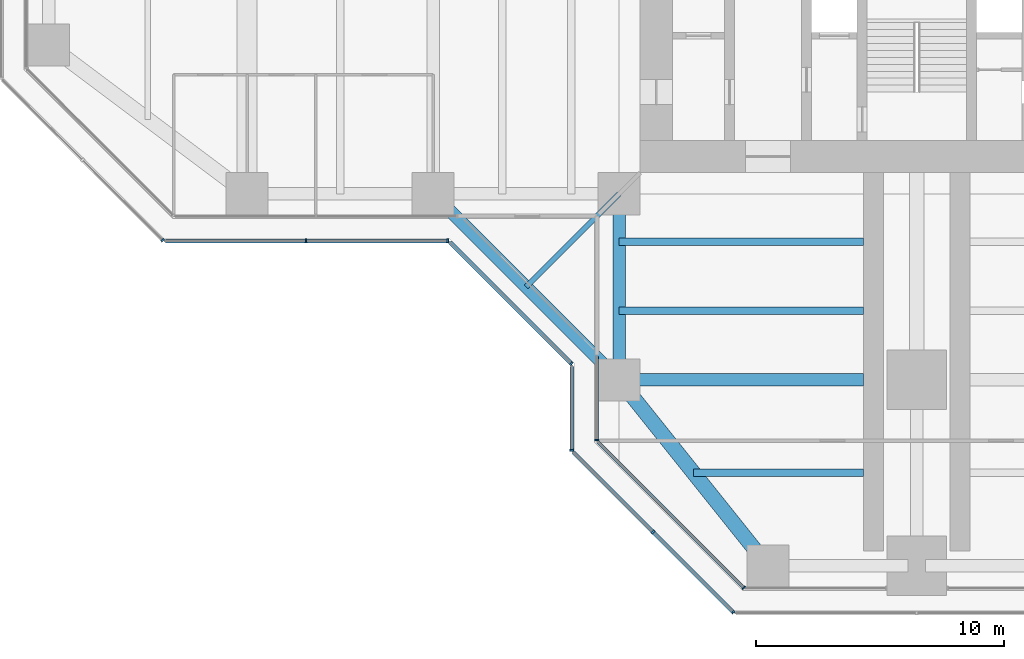
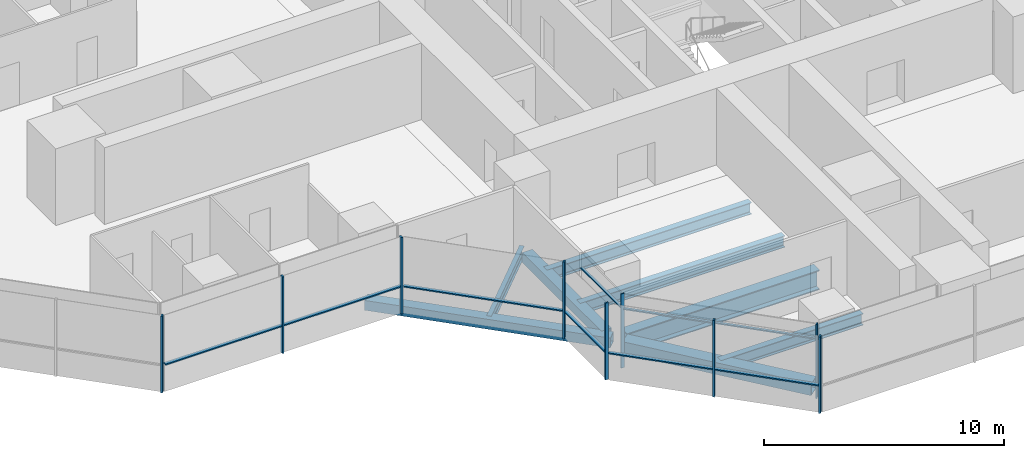
# One storey, part 2 of 20: 17 members, 8 beams, 7 elements without a shape of their own.
"""IFC4 building model written with IfcOpenShell, lengths in metres."""

from ifc_helpers import new_model, si_unit, direction, frame, origin, origin_2d, place, context, subcontext, project, spatial, rectangle, hollow_rectangle, i_section, extrude, material, material_profile, profile_set, type_object, element, aggregate, save


model = new_model("IFC4")

# Units and contexts
model_context = context("Model", 3, precision=1e-05, world=origin(), true_north=direction((0.0, 1.0)))
body_context = subcontext(model_context, "Body", "Model", "MODEL_VIEW")
ifc_project = project(units=[si_unit("LENGTHUNIT", "METRE"), si_unit("AREAUNIT", "SQUARE_METRE"), si_unit("VOLUMEUNIT", "CUBIC_METRE"), si_unit("PLANEANGLEUNIT", "RADIAN"), si_unit("MASSUNIT", "GRAM", prefix="KILO")], contexts=[model_context])

# Site, building, storey
site_placement = place(None, origin())
site = spatial("IfcSite", under=ifc_project, at=site_placement, CompositionType="ELEMENT")
building_placement = place(site_placement, origin())
building = spatial("IfcBuilding", under=site, at=building_placement, Name="Mizan Broadcast Tower", CompositionType="ELEMENT")
storey_placement = place(building_placement, frame((0.0, 0.0, 174.89990234375)))
storey = spatial("IfcBuildingStorey", under=building, at=storey_placement, Name="L40", CompositionType="ELEMENT", Elevation=174.89990234375)

# Beams
ifc_material_1 = material(Name="Steel S355", Category="steel")
ifc_material_profile_1 = material_profile(ifc_material_1, hollow_rectangle(XDim=0.5, YDim=0.5, WallThickness=0.030029296875, at=origin_2d()), Name="BOX 500x500x30")
ifc_profile_set_1 = profile_set([ifc_material_profile_1], Name="Steel S355")
beam_type_1 = type_object("IfcBeamType", Name="EDGE BEAM BOX 500x500x30", PredefinedType="SPANDREL", material=ifc_profile_set_1)
beam_1_placement = place(storey_placement, frame((-12.0, -12.449951171875, -0.3798828125), z_axis=(0.0, -1.0, 0.0), x_axis=(1.0, 0.0, 0.0)))
element("IfcBeam", 1, at=beam_1_placement, inside=storey, type_object=beam_type_1, Name="Edge beam BOX 500x500x30 L40 south arm", PredefinedType="SPANDREL", context=body_context, shape_type="SweptSolid", body=[
    extrude(hollow_rectangle(XDim=0.5, YDim=0.5, WallThickness=0.030029296875, at=origin_2d()), origin(), (0.0, 0.0, 1.0), 6.60009765625),
])
beam_2_placement = place(storey_placement, frame((-19.5, -12.0, -0.3798828125), z_axis=(0.707106781187, -0.707106781187, 0.0), x_axis=(0.707106781187, 0.707106781187, 0.0)))
element("IfcBeam", 2, at=beam_2_placement, inside=storey, type_object=beam_type_1, Name="Winter garden edge beam L40 W", PredefinedType="SPANDREL", context=body_context, shape_type="SweptSolid", body=[
    extrude(hollow_rectangle(XDim=0.5, YDim=0.5, WallThickness=0.030029296875, at=origin_2d()), origin(), (0.0, 0.0, 1.0), 10.606689453125),
])
ifc_material_2 = material(Name="Steel S355", Category="steel")
ifc_material_profile_2 = material_profile(ifc_material_2, hollow_rectangle(XDim=0.60009765625, YDim=0.60009765625, WallThickness=0.030029296875, at=origin_2d()), Name="BOX 600x600x30")
ifc_profile_set_2 = profile_set([ifc_material_profile_2], Name="Steel S355")
beam_type_2 = type_object("IfcBeamType", Name="EDGE BEAM BOX 600x600x30", PredefinedType="SPANDREL", material=ifc_profile_set_2)
beam_3_placement = place(storey_placement, frame((-11.639892578125, -19.949951171875, -0.429931640625), z_axis=(0.624673911726, -0.780885717636, 0.0), x_axis=(0.780885717636, 0.624673911726, 0.0)))
element("IfcBeam", 3, at=beam_3_placement, inside=storey, type_object=beam_type_2, Name="Edge beam BOX 600x600x30 L40 south arm", PredefinedType="SPANDREL", context=body_context, shape_type="SweptSolid", body=[
    extrude(hollow_rectangle(XDim=0.60009765625, YDim=0.60009765625, WallThickness=0.030029296875, at=origin_2d()), origin(), (0.0, 0.0, 1.0), 8.4521484375),
])
ifc_material_3 = material(Name="Steel S460", Category="steel")
ifc_material_profile_3 = material_profile(ifc_material_3, i_section(OverallWidth=0.5, OverallDepth=1.0, WebThickness=0.02490234375, FlangeThickness=0.050048828125, at=origin_2d()), Name="WPG 1000x500")
ifc_profile_set_3 = profile_set([ifc_material_profile_3], Name="Steel S460")
beam_type_3 = type_object("IfcBeamType", Name="GIRDER WPG 1000x500", PredefinedType="BEAM", material=ifc_profile_set_3)
beam_4_placement = place(storey_placement, frame((-11.408935546875, -19.5, -0.6298828125), z_axis=(1.0, 0.0, 0.0), x_axis=(0.0, 1.0, 0.0)))
element("IfcBeam", 4, at=beam_4_placement, inside=storey, type_object=beam_type_3, Name="Girder WPG 1000x500 L40 south arm", PredefinedType="BEAM", context=body_context, shape_type="SweptSolid", body=[
    extrude(i_section(OverallWidth=0.5, OverallDepth=1.0, WebThickness=0.02490234375, FlangeThickness=0.050048828125, at=origin_2d()), origin(), (0.0, 0.0, 1.0), 9.259033203125),
])

# Curtain wall, member
ifc_material_4 = material(Name="Aluminium framed glazing", Category="aluminium")
curtain_wall_type_1 = type_object("IfcCurtainWallType", Name="INNER SKIN MID ZONE", PredefinedType="USERDEFINED", material=ifc_material_4)
curtain_wall_1_placement = place(storey_placement, origin())
curtain_wall_1 = element("IfcCurtainWall", 5, at=curtain_wall_1_placement, inside=storey, type_object=curtain_wall_type_1, Name="Inner skin mid zone L40 S side", ObjectType="INNER SKIN MID ZONE", PredefinedType="USERDEFINED")
ifc_material_5 = material(Name="Aluminium, pale anodised", Category="aluminium")
ifc_material_profile_4 = material_profile(ifc_material_5, rectangle(XDim=0.159912109375, YDim=0.06005859375, at=origin_2d()), Name="MULLION 160x60")
ifc_profile_set_4 = profile_set([ifc_material_profile_4], Name="Aluminium, pale anodised")
member_type_1 = type_object("IfcMemberType", Name="INNER SKIN MULLION 60x160", PredefinedType="MULLION", material=ifc_profile_set_4)
member_1_placement = place(storey_placement, frame((-12.89990234375, -21.928466796875, 0.0), z_axis=(0.0, 0.0, 1.0), x_axis=(1.0, 0.0, 0.0)))
member_1 = element("IfcMember", 6, at=member_1_placement, type_object=member_type_1, Name="Inner skin mid zone L40 S side mullion 2", PredefinedType="MULLION", context=body_context, shape_type="SweptSolid", body=[
    extrude(rectangle(XDim=0.159912109375, YDim=0.06005859375, at=origin_2d()), origin(), (0.0, 0.0, 1.0), 3.77001953125),
])

curtain_wall_2_placement = place(storey_placement, origin())
curtain_wall_2 = element("IfcCurtainWall", 7, at=curtain_wall_2_placement, inside=storey, type_object=curtain_wall_type_1, Name="Inner skin mid zone L40 S chamfer", ObjectType="INNER SKIN MID ZONE", PredefinedType="USERDEFINED")
member_2_placement = place(storey_placement, frame((-6.979736328125, -27.87890625, 0.0), z_axis=(0.0, 0.0, 1.0), x_axis=(0.707106781187, 0.707106781187, 0.0)))
member_2 = element("IfcMember", 8, at=member_2_placement, type_object=member_type_1, Name="Inner skin mid zone L40 S chamfer mullion 2", PredefinedType="MULLION", context=body_context, shape_type="SweptSolid", body=[
    extrude(rectangle(XDim=0.159912109375, YDim=0.06005859375, at=origin_2d()), origin(), (0.0, 0.0, 1.0), 3.77001953125),
])

# Member
ifc_material_6 = material(Name="Aluminium, pale anodised", Category="aluminium")
ifc_material_profile_5 = material_profile(ifc_material_6, rectangle(XDim=0.1201171875, YDim=0.06005859375, at=origin_2d()), Name="TRANSOM 120x60")
ifc_profile_set_5 = profile_set([ifc_material_profile_5], Name="Aluminium, pale anodised")
member_type_2 = type_object("IfcMemberType", Name="INNER SKIN TRANSOM 60x120", PredefinedType="USERDEFINED", material=ifc_profile_set_5)
member_3_placement = place(storey_placement, frame((-12.89990234375, -18.56005859375, 3.030029296875), z_axis=(0.0, -1.0, 0.0), x_axis=(1.0, 0.0, 0.0)))
member_3 = element("IfcMember", 9, at=member_3_placement, type_object=member_type_2, Name="Inner skin mid zone L40 S side transom 1.1", ObjectType="TRANSOM", PredefinedType="USERDEFINED", context=body_context, shape_type="SweptSolid", body=[
    extrude(rectangle(XDim=0.1201171875, YDim=0.06005859375, at=origin_2d()), origin(), (0.0, 0.0, 1.0), 3.338623046875),
])

aggregate(curtain_wall_1, [member_1, member_3])

member_4_placement = place(storey_placement, frame((-12.857666015625, -22.0009765625, 3.030029296875), z_axis=(0.707106781187, -0.707106781187, 0.0), x_axis=(0.707106781187, 0.707106781187, 0.0)))
member_4 = element("IfcMember", 10, at=member_4_placement, type_object=member_type_2, Name="Inner skin mid zone L40 S chamfer transom 1.1", ObjectType="TRANSOM", PredefinedType="USERDEFINED", context=body_context, shape_type="SweptSolid", body=[
    extrude(rectangle(XDim=0.1201171875, YDim=0.06005859375, at=origin_2d()), origin(), (0.0, 0.0, 1.0), 8.28271484375),
])

aggregate(curtain_wall_2, [member_2, member_4])

# Curtain wall, member
ifc_material_7 = material(Name="Aluminium framed glazing", Category="aluminium")
curtain_wall_type_2 = type_object("IfcCurtainWallType", Name="OUTER SKIN", PredefinedType="USERDEFINED", material=ifc_material_7)
curtain_wall_3_placement = place(storey_placement, origin())
curtain_wall_3 = element("IfcCurtainWall", 11, at=curtain_wall_3_placement, inside=storey, type_object=curtain_wall_type_2, Name="Outer skin L40 W chamfer", ObjectType="OUTER SKIN", PredefinedType="USERDEFINED")
ifc_material_8 = material(Name="Aluminium, pale anodised", Category="aluminium")
ifc_material_profile_6 = material_profile(ifc_material_8, rectangle(XDim=0.159912109375, YDim=0.080078125, at=origin_2d()), Name="MULLION 160x80")
ifc_profile_set_6 = profile_set([ifc_material_profile_6], Name="Aluminium, pale anodised")
member_type_3 = type_object("IfcMemberType", Name="OUTER SKIN MULLION 80x160", PredefinedType="MULLION", material=ifc_profile_set_6)
member_5_placement = place(storey_placement, frame((-30.401123046875, -13.871826171875, 0.0), z_axis=(0.0, 0.0, 1.0), x_axis=(0.707106781187, 0.707106781187, 0.0)))
member_5 = element("IfcMember", 12, at=member_5_placement, type_object=member_type_3, Name="Outer skin L40 W chamfer mullion 3", PredefinedType="MULLION", context=body_context, shape_type="SweptSolid", body=[
    extrude(rectangle(XDim=0.159912109375, YDim=0.080078125, at=origin_2d()), origin(), (0.0, 0.0, 1.0), 3.900146484375),
])
aggregate(curtain_wall_3, [member_5])

# Curtain wall, members
curtain_wall_4_placement = place(storey_placement, origin())
curtain_wall_4 = element("IfcCurtainWall", 13, at=curtain_wall_4_placement, inside=storey, type_object=curtain_wall_type_2, Name="Outer skin L40 W side", ObjectType="OUTER SKIN", PredefinedType="USERDEFINED")
member_6_placement = place(storey_placement, frame((-24.622802734375, -13.89990234375, 0.0), z_axis=(0.0, 0.0, 1.0), x_axis=(0.0, 1.0, 0.0)))
member_6 = element("IfcMember", 14, at=member_6_placement, type_object=member_type_3, Name="Outer skin L40 W side mullion 2", PredefinedType="MULLION", context=body_context, shape_type="SweptSolid", body=[
    extrude(rectangle(XDim=0.159912109375, YDim=0.080078125, at=origin_2d()), origin(), (0.0, 0.0, 1.0), 3.900146484375),
])
member_7_placement = place(storey_placement, frame((-18.912841796875, -13.89990234375, 0.0), z_axis=(0.0, 0.0, 1.0), x_axis=(0.0, 1.0, 0.0)))
member_7 = element("IfcMember", 15, at=member_7_placement, type_object=member_type_3, Name="Outer skin L40 W side mullion 3", PredefinedType="MULLION", context=body_context, shape_type="SweptSolid", body=[
    extrude(rectangle(XDim=0.159912109375, YDim=0.080078125, at=origin_2d()), origin(), (0.0, 0.0, 1.0), 3.900146484375),
])

# Curtain wall, member
curtain_wall_5_placement = place(storey_placement, origin())
curtain_wall_5 = element("IfcCurtainWall", 16, at=curtain_wall_5_placement, inside=storey, type_object=curtain_wall_type_2, Name="Outer skin L40 W chamfer", ObjectType="OUTER SKIN", PredefinedType="USERDEFINED")
member_8_placement = place(storey_placement, frame((-13.92822265625, -18.844482421875, 0.0), z_axis=(0.0, 0.0, 1.0), x_axis=(0.707106781187, 0.707106781187, 0.0)))
member_8 = element("IfcMember", 17, at=member_8_placement, type_object=member_type_3, Name="Outer skin L40 W chamfer mullion 2", PredefinedType="MULLION", context=body_context, shape_type="SweptSolid", body=[
    extrude(rectangle(XDim=0.159912109375, YDim=0.080078125, at=origin_2d()), origin(), (0.0, 0.0, 1.0), 3.900146484375),
])

curtain_wall_6_placement = place(storey_placement, origin())
curtain_wall_6 = element("IfcCurtainWall", 18, at=curtain_wall_6_placement, inside=storey, type_object=curtain_wall_type_2, Name="Outer skin L40 S side", ObjectType="OUTER SKIN", PredefinedType="USERDEFINED")
member_9_placement = place(storey_placement, frame((-13.89990234375, -22.332763671875, 0.0), z_axis=(0.0, 0.0, 1.0), x_axis=(1.0, 0.0, 0.0)))
member_9 = element("IfcMember", 19, at=member_9_placement, type_object=member_type_3, Name="Outer skin L40 S side mullion 2", PredefinedType="MULLION", context=body_context, shape_type="SweptSolid", body=[
    extrude(rectangle(XDim=0.159912109375, YDim=0.080078125, at=origin_2d()), origin(), (0.0, 0.0, 1.0), 3.900146484375),
])

# Curtain wall, members
curtain_wall_7_placement = place(storey_placement, origin())
curtain_wall_7 = element("IfcCurtainWall", 20, at=curtain_wall_7_placement, inside=storey, type_object=curtain_wall_type_2, Name="Outer skin L40 S chamfer", ObjectType="OUTER SKIN", PredefinedType="USERDEFINED")
member_10_placement = place(storey_placement, frame((-10.636474609375, -25.636474609375, 0.0), z_axis=(0.0, 0.0, 1.0), x_axis=(0.707106781187, 0.707106781187, 0.0)))
member_10 = element("IfcMember", 21, at=member_10_placement, type_object=member_type_3, Name="Outer skin L40 S chamfer mullion 2", PredefinedType="MULLION", context=body_context, shape_type="SweptSolid", body=[
    extrude(rectangle(XDim=0.159912109375, YDim=0.080078125, at=origin_2d()), origin(), (0.0, 0.0, 1.0), 3.900146484375),
])
member_11_placement = place(storey_placement, frame((-7.401123046875, -28.871826171875, 0.0), z_axis=(0.0, 0.0, 1.0), x_axis=(0.707106781187, 0.707106781187, 0.0)))
member_11 = element("IfcMember", 22, at=member_11_placement, type_object=member_type_3, Name="Outer skin L40 S chamfer mullion 3", PredefinedType="MULLION", context=body_context, shape_type="SweptSolid", body=[
    extrude(rectangle(XDim=0.159912109375, YDim=0.080078125, at=origin_2d()), origin(), (0.0, 0.0, 1.0), 3.900146484375),
])

# Member
ifc_material_9 = material(Name="Aluminium, pale anodised", Category="aluminium")
ifc_material_profile_7 = material_profile(ifc_material_9, rectangle(XDim=0.159912109375, YDim=0.06005859375, at=origin_2d()), Name="TRANSOM 160x60")
ifc_profile_set_7 = profile_set([ifc_material_profile_7], Name="Aluminium, pale anodised")
member_type_4 = type_object("IfcMemberType", Name="OUTER SKIN TRANSOM 60x160", PredefinedType="USERDEFINED", material=ifc_profile_set_7)
member_12_placement = place(storey_placement, frame((-30.292724609375, -13.89990234375, 1.400146484375), z_axis=(1.0, 0.0, 0.0), x_axis=(0.0, 1.0, 0.0)))
member_12 = element("IfcMember", 23, at=member_12_placement, type_object=member_type_4, Name="Outer skin L40 W side transom 1.1", ObjectType="TRANSOM", PredefinedType="USERDEFINED", context=body_context, shape_type="SweptSolid", body=[
    extrude(rectangle(XDim=0.159912109375, YDim=0.06005859375, at=origin_2d()), origin(), (0.0, 0.0, 1.0), 5.6298828125),
])

member_13_placement = place(storey_placement, frame((-24.582763671875, -13.89990234375, 1.400146484375), z_axis=(1.0, 0.0, 0.0), x_axis=(0.0, 1.0, 0.0)))
member_13 = element("IfcMember", 24, at=member_13_placement, type_object=member_type_4, Name="Outer skin L40 W side transom 2.1", ObjectType="TRANSOM", PredefinedType="USERDEFINED", context=body_context, shape_type="SweptSolid", body=[
    extrude(rectangle(XDim=0.159912109375, YDim=0.06005859375, at=origin_2d()), origin(), (0.0, 0.0, 1.0), 5.6298828125),
])

aggregate(curtain_wall_4, [member_6, member_7, member_12, member_13])

member_14_placement = place(storey_placement, frame((-18.816162109375, -13.95654296875, 1.400146484375), z_axis=(0.707106781187, -0.707106781187, 0.0), x_axis=(0.707106781187, 0.707106781187, 0.0)))
member_14 = element("IfcMember", 25, at=member_14_placement, type_object=member_type_4, Name="Outer skin L40 W chamfer transom 1.1", ObjectType="TRANSOM", PredefinedType="USERDEFINED", context=body_context, shape_type="SweptSolid", body=[
    extrude(rectangle(XDim=0.159912109375, YDim=0.06005859375, at=origin_2d()), origin(), (0.0, 0.0, 1.0), 6.87255859375),
])

aggregate(curtain_wall_5, [member_8, member_14])

member_15_placement = place(storey_placement, frame((-13.89990234375, -18.952880859375, 1.400146484375), z_axis=(0.0, -1.0, 0.0), x_axis=(1.0, 0.0, 0.0)))
member_15 = element("IfcMember", 26, at=member_15_placement, type_object=member_type_4, Name="Outer skin L40 S side transom 1.1", ObjectType="TRANSOM", PredefinedType="USERDEFINED", context=body_context, shape_type="SweptSolid", body=[
    extrude(rectangle(XDim=0.159912109375, YDim=0.06005859375, at=origin_2d()), origin(), (0.0, 0.0, 1.0), 3.33984375),
])

aggregate(curtain_wall_6, [member_9, member_15])

member_16_placement = place(storey_placement, frame((-13.843505859375, -22.429443359375, 1.400146484375), z_axis=(0.707106781187, -0.707106781187, 0.0), x_axis=(0.707106781187, 0.707106781187, 0.0)))
member_16 = element("IfcMember", 27, at=member_16_placement, type_object=member_type_4, Name="Outer skin L40 S chamfer transom 1.1", ObjectType="TRANSOM", PredefinedType="USERDEFINED", context=body_context, shape_type="SweptSolid", body=[
    extrude(rectangle(XDim=0.159912109375, YDim=0.06005859375, at=origin_2d()), origin(), (0.0, 0.0, 1.0), 4.495361328125),
])

member_17_placement = place(storey_placement, frame((-10.608154296875, -25.664794921875, 1.400146484375), z_axis=(0.707106781187, -0.707106781187, 0.0), x_axis=(0.707106781187, 0.707106781187, 0.0)))
member_17 = element("IfcMember", 28, at=member_17_placement, type_object=member_type_4, Name="Outer skin L40 S chamfer transom 2.1", ObjectType="TRANSOM", PredefinedType="USERDEFINED", context=body_context, shape_type="SweptSolid", body=[
    extrude(rectangle(XDim=0.159912109375, YDim=0.06005859375, at=origin_2d()), origin(), (0.0, 0.0, 1.0), 4.495361328125),
])

aggregate(curtain_wall_7, [member_10, member_11, member_16, member_17])

# Beams
ifc_material_10 = material(Name="Steel S355", Category="steel")
ifc_material_profile_8 = material_profile(ifc_material_10, i_section(OverallWidth=0.300048828125, OverallDepth=0.590087890625, WebThickness=0.012939453125, FlangeThickness=0.02490234375, FilletRadius=0.027099609375, at=origin_2d()), Name="HEA 600")
ifc_profile_set_8 = profile_set([ifc_material_profile_8], Name="Steel S355")
beam_type_4 = type_object("IfcBeamType", Name="SECONDARY BEAM HEA 600", PredefinedType="JOIST", material=ifc_profile_set_8)
for number, where, z_axis, x_axis, name in (
    (29, (-12.0, -13.933349609375, -0.4248046875), (1.0, 0.0, 0.0), (0.0, 1.0, 0.0), "Secondary beam HEA 600 L40 south arm"),
    (30, (-12.0, -16.716552734375, -0.4248046875), (1.0, 0.0, 0.0), (0.0, 1.0, 0.0), "Secondary beam HEA 600 L40 south arm"),
):
    element("IfcBeam", number, at=place(storey_placement, frame(where, z_axis=z_axis, x_axis=x_axis)), inside=storey, type_object=beam_type_4, Name=name, PredefinedType="JOIST", context=body_context, shape_type="SweptSolid", body=[
        extrude(i_section(OverallWidth=0.300048828125, OverallDepth=0.590087890625, WebThickness=0.012939453125, FlangeThickness=0.02490234375, FilletRadius=0.027099609375, at=origin_2d()), origin(), (0.0, 0.0, 1.0), 9.85009765625),
    ])
beam_5_placement = place(storey_placement, frame((-9.0, -23.25, -0.4248046875), z_axis=(1.0, 0.0, 0.0), x_axis=(0.0, 1.0, 0.0)))
element("IfcBeam", 31, at=beam_5_placement, inside=storey, type_object=beam_type_4, Name="Secondary beam HEA 600 L40 south arm", PredefinedType="JOIST", context=body_context, shape_type="SweptSolid", body=[
    extrude(i_section(OverallWidth=0.300048828125, OverallDepth=0.590087890625, WebThickness=0.012939453125, FlangeThickness=0.02490234375, FilletRadius=0.027099609375, at=origin_2d()), origin(), (0.0, 0.0, 1.0), 6.85009765625),
])
ifc_material_11 = material(Name="Steel S355", Category="steel")
ifc_material_profile_9 = material_profile(ifc_material_11, i_section(OverallWidth=0.2099609375, OverallDepth=0.550048828125, WebThickness=0.010986328125, FlangeThickness=0.01708984375, FilletRadius=0.02392578125, at=origin_2d()), Name="IPE 550")
ifc_profile_set_9 = profile_set([ifc_material_profile_9], Name="Steel S355")
beam_type_5 = type_object("IfcBeamType", Name="SECONDARY BEAM IPE 550", PredefinedType="JOIST", material=ifc_profile_set_9)
beam_6_placement = place(storey_placement, frame((-12.0, -12.0, -0.40478515625), z_axis=(-0.707106781187, -0.707106781187, 0.0), x_axis=(0.707106781187, -0.707106781187, 0.0)))
element("IfcBeam", 32, at=beam_6_placement, inside=storey, type_object=beam_type_5, Name="Winter garden beam L40 W", PredefinedType="JOIST", context=body_context, shape_type="SweptSolid", body=[
    extrude(i_section(OverallWidth=0.2099609375, OverallDepth=0.550048828125, WebThickness=0.010986328125, FlangeThickness=0.01708984375, FilletRadius=0.02392578125, at=origin_2d()), origin(), (0.0, 0.0, 1.0), 5.30322265625),
])

save(model, "model.ifc")
